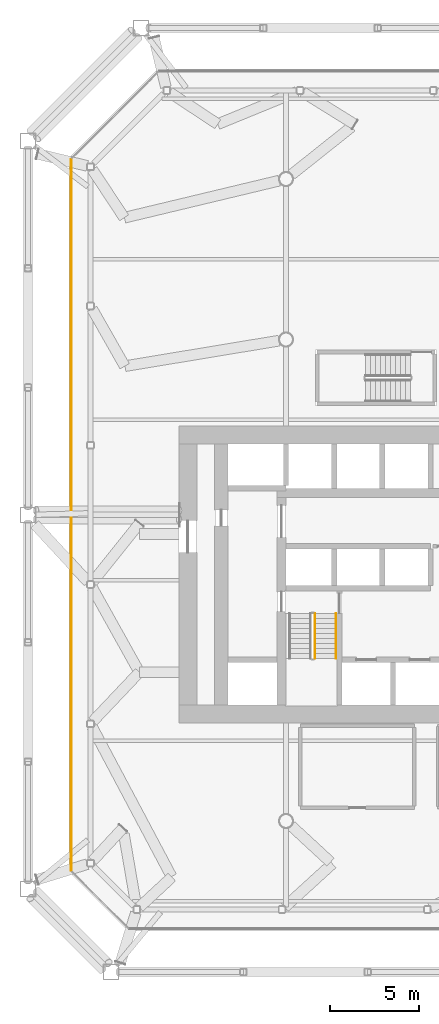
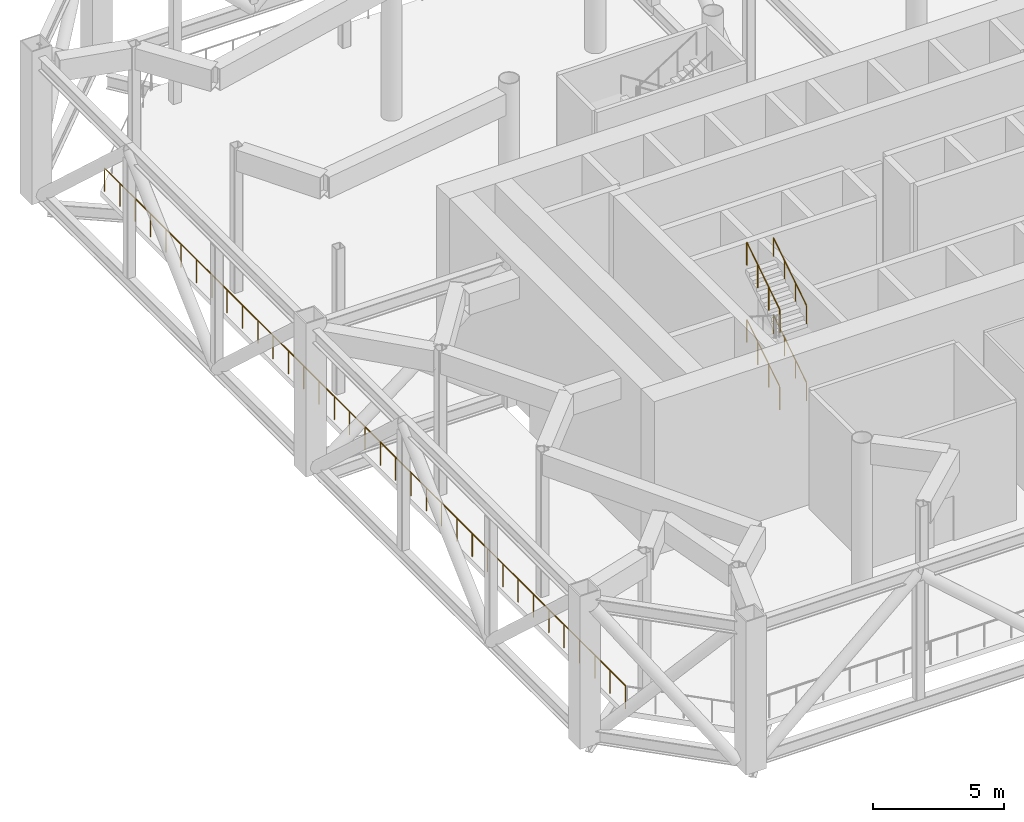
# One storey, part 16 of 20: 5 railings.
"""IFC4 building model written with IfcOpenShell, lengths in metres."""

from ifc_helpers import new_model, si_unit, direction, frame, origin, origin_2d, place, context, subcontext, project, spatial, circle, extrude, material, type_object, element, save


model = new_model("IFC4")

# Units and contexts
model_context = context("Model", 3, precision=1e-05, world=origin(), true_north=direction((0.0, 1.0)))
body_context = subcontext(model_context, "Body", "Model", "MODEL_VIEW")
ifc_project = project(units=[si_unit("LENGTHUNIT", "METRE"), si_unit("AREAUNIT", "SQUARE_METRE"), si_unit("VOLUMEUNIT", "CUBIC_METRE"), si_unit("PLANEANGLEUNIT", "RADIAN"), si_unit("MASSUNIT", "GRAM", prefix="KILO")], contexts=[model_context])

# Site, building, storey
site_placement = place(None, origin())
site = spatial("IfcSite", under=ifc_project, at=site_placement, CompositionType="ELEMENT")
building_placement = place(site_placement, origin())
building = spatial("IfcBuilding", under=site, at=building_placement, Name="Tskaro Facet Tower", CompositionType="ELEMENT")
storey_placement = place(building_placement, frame((0.0, 0.0, 114.300048828125)))
storey = spatial("IfcBuildingStorey", under=building, at=storey_placement, Name="L27", CompositionType="ELEMENT", Elevation=114.300048828125)

# Railings
ifc_material_1 = material(Name="Bronze anodised aluminium 6063-T6", Category="aluminium")
railing_type_1 = type_object("IfcRailingType", Name="Bronze guard rail (GD1)", PredefinedType="GUARDRAIL", material=ifc_material_1)
railing_1_placement = place(storey_placement, frame((-21.044921875, 19.092041015625, 0.0)))
element("IfcRailing", 1, at=railing_1_placement, inside=storey, type_object=railing_type_1, Name="Guard L27", PredefinedType="GUARDRAIL", context=body_context, shape_type="SweptSolid", body=[
    extrude(circle(Radius=0.02490234375, at=origin_2d()), frame((0.0, 0.0, 1.0751953125), z_axis=(0.0, -1.0, 0.0), x_axis=(1.0, 0.0, 0.0)), (0.0, 0.0, 1.0), 39.858154296875),
    extrude(circle(Radius=0.02001953125, at=origin_2d()), origin(), (0.0, 0.0, 1.0), 1.050048828125),
    extrude(circle(Radius=0.02001953125, at=origin_2d()), frame((0.0, -1.17236328125, 0.0)), (0.0, 0.0, 1.0), 1.050048828125),
    extrude(circle(Radius=0.02001953125, at=origin_2d()), frame((0.0, -2.344482421875, 0.0)), (0.0, 0.0, 1.0), 1.050048828125),
    extrude(circle(Radius=0.02001953125, at=origin_2d()), frame((0.0, -3.516845703125, 0.0)), (0.0, 0.0, 1.0), 1.050048828125),
    extrude(circle(Radius=0.02001953125, at=origin_2d()), frame((0.0, -4.689208984375, 0.0)), (0.0, 0.0, 1.0), 1.050048828125),
    extrude(circle(Radius=0.02001953125, at=origin_2d()), frame((0.0, -5.861572265625, 0.0)), (0.0, 0.0, 1.0), 1.050048828125),
    extrude(circle(Radius=0.02001953125, at=origin_2d()), frame((0.0, -7.03369140625, 0.0)), (0.0, 0.0, 1.0), 1.050048828125),
    extrude(circle(Radius=0.02001953125, at=origin_2d()), frame((0.0, -8.2060546875, 0.0)), (0.0, 0.0, 1.0), 1.050048828125),
    extrude(circle(Radius=0.02001953125, at=origin_2d()), frame((0.0, -9.37841796875, 0.0)), (0.0, 0.0, 1.0), 1.050048828125),
    extrude(circle(Radius=0.02001953125, at=origin_2d()), frame((0.0, -10.55078125, 0.0)), (0.0, 0.0, 1.0), 1.050048828125),
    extrude(circle(Radius=0.02001953125, at=origin_2d()), frame((0.0, -11.722900390625, 0.0)), (0.0, 0.0, 1.0), 1.050048828125),
    extrude(circle(Radius=0.02001953125, at=origin_2d()), frame((0.0, -12.895263671875, 0.0)), (0.0, 0.0, 1.0), 1.050048828125),
    extrude(circle(Radius=0.02001953125, at=origin_2d()), frame((0.0, -14.067626953125, 0.0)), (0.0, 0.0, 1.0), 1.050048828125),
    extrude(circle(Radius=0.02001953125, at=origin_2d()), frame((0.0, -15.239990234375, 0.0)), (0.0, 0.0, 1.0), 1.050048828125),
    extrude(circle(Radius=0.02001953125, at=origin_2d()), frame((0.0, -16.412109375, 0.0)), (0.0, 0.0, 1.0), 1.050048828125),
    extrude(circle(Radius=0.02001953125, at=origin_2d()), frame((0.0, -17.58447265625, 0.0)), (0.0, 0.0, 1.0), 1.050048828125),
    extrude(circle(Radius=0.02001953125, at=origin_2d()), frame((0.0, -18.7568359375, 0.0)), (0.0, 0.0, 1.0), 1.050048828125),
    extrude(circle(Radius=0.02001953125, at=origin_2d()), frame((0.0, -19.92919921875, 0.0)), (0.0, 0.0, 1.0), 1.050048828125),
    extrude(circle(Radius=0.02001953125, at=origin_2d()), frame((0.0, -21.101318359375, 0.0)), (0.0, 0.0, 1.0), 1.050048828125),
    extrude(circle(Radius=0.02001953125, at=origin_2d()), frame((0.0, -22.273681640625, 0.0)), (0.0, 0.0, 1.0), 1.050048828125),
    extrude(circle(Radius=0.02001953125, at=origin_2d()), frame((0.0, -23.446044921875, 0.0)), (0.0, 0.0, 1.0), 1.050048828125),
    extrude(circle(Radius=0.02001953125, at=origin_2d()), frame((0.0, -24.6181640625, 0.0)), (0.0, 0.0, 1.0), 1.050048828125),
    extrude(circle(Radius=0.02001953125, at=origin_2d()), frame((0.0, -25.79052734375, 0.0)), (0.0, 0.0, 1.0), 1.050048828125),
    extrude(circle(Radius=0.02001953125, at=origin_2d()), frame((0.0, -26.962890625, 0.0)), (0.0, 0.0, 1.0), 1.050048828125),
    extrude(circle(Radius=0.02001953125, at=origin_2d()), frame((0.0, -28.13525390625, 0.0)), (0.0, 0.0, 1.0), 1.050048828125),
    extrude(circle(Radius=0.02001953125, at=origin_2d()), frame((0.0, -29.307373046875, 0.0)), (0.0, 0.0, 1.0), 1.050048828125),
    extrude(circle(Radius=0.02001953125, at=origin_2d()), frame((0.0, -30.479736328125, 0.0)), (0.0, 0.0, 1.0), 1.050048828125),
    extrude(circle(Radius=0.02001953125, at=origin_2d()), frame((0.0, -31.652099609375, 0.0)), (0.0, 0.0, 1.0), 1.050048828125),
    extrude(circle(Radius=0.02001953125, at=origin_2d()), frame((0.0, -32.824462890625, 0.0)), (0.0, 0.0, 1.0), 1.050048828125),
    extrude(circle(Radius=0.02001953125, at=origin_2d()), frame((0.0, -33.99658203125, 0.0)), (0.0, 0.0, 1.0), 1.050048828125),
    extrude(circle(Radius=0.02001953125, at=origin_2d()), frame((0.0, -35.1689453125, 0.0)), (0.0, 0.0, 1.0), 1.050048828125),
    extrude(circle(Radius=0.02001953125, at=origin_2d()), frame((0.0, -36.34130859375, 0.0)), (0.0, 0.0, 1.0), 1.050048828125),
    extrude(circle(Radius=0.02001953125, at=origin_2d()), frame((0.0, -37.513671875, 0.0)), (0.0, 0.0, 1.0), 1.050048828125),
    extrude(circle(Radius=0.02001953125, at=origin_2d()), frame((0.0, -38.685791015625, 0.0)), (0.0, 0.0, 1.0), 1.050048828125),
    extrude(circle(Radius=0.02001953125, at=origin_2d()), frame((0.0, -39.858154296875, 0.0)), (0.0, 0.0, 1.0), 1.050048828125),
])
ifc_material_2 = material(Name="Stainless steel", Category="steel")
railing_type_2 = type_object("IfcRailingType", Name="RL-GUARD-1100", PredefinedType="GUARDRAIL", material=ifc_material_2)
railing_2_placement = place(storey_placement, frame((-7.375, -8.89501953125, 1.97998046875)))
element("IfcRailing", 2, at=railing_2_placement, inside=storey, type_object=railing_type_2, Name="L27 ST-1 stair guard 3", PredefinedType="GUARDRAIL", context=body_context, shape_type="SweptSolid", body=[
    extrude(circle(Radius=0.02392578125, at=origin_2d()), frame((0.0, 0.0, 1.076171875), z_axis=(0.0, 0.841199657755, 0.540724639528), x_axis=(-1.0, 0.0, 0.0)), (0.0, 0.0, 1.0), 2.995849609375),
    extrude(circle(Radius=0.02099609375, at=origin_2d()), origin(), (0.0, 0.0, 1.0), 1.052001953125),
    extrude(circle(Radius=0.02099609375, at=origin_2d()), frame((0.0, 0.840087890625, 0.5400390625)), (0.0, 0.0, 1.0), 1.052001953125),
    extrude(circle(Radius=0.02099609375, at=origin_2d()), frame((0.0, 1.679931640625, 1.079833984375)), (0.0, 0.0, 1.0), 1.052001953125),
    extrude(circle(Radius=0.02099609375, at=origin_2d()), frame((0.0, 2.52001953125, 1.619873046875)), (0.0, 0.0, 1.0), 1.052001953125),
])
railing_3_placement = place(storey_placement, frame((-7.375, -8.89501953125, 5.579833984375)))
element("IfcRailing", 3, at=railing_3_placement, inside=storey, type_object=railing_type_2, Name="L27 ST-1 stair guard 7", PredefinedType="GUARDRAIL", context=body_context, shape_type="SweptSolid", body=[
    extrude(circle(Radius=0.02392578125, at=origin_2d()), frame((0.0, 0.0, 1.076171875), z_axis=(0.0, 0.841162588446, 0.540782303519), x_axis=(-1.0, 0.0, 0.0)), (0.0, 0.0, 1.0), 2.995849609375),
    extrude(circle(Radius=0.02099609375, at=origin_2d()), origin(), (0.0, 0.0, 1.0), 1.052001953125),
    extrude(circle(Radius=0.02099609375, at=origin_2d()), frame((0.0, 0.840087890625, 0.5400390625)), (0.0, 0.0, 1.0), 1.052001953125),
    extrude(circle(Radius=0.02099609375, at=origin_2d()), frame((0.0, 1.679931640625, 1.080078125)), (0.0, 0.0, 1.0), 1.052001953125),
    extrude(circle(Radius=0.02099609375, at=origin_2d()), frame((0.0, 2.52001953125, 1.6201171875)), (0.0, 0.0, 1.0), 1.052001953125),
])
railing_type_3 = type_object("IfcRailingType", Name="RL-HANDRAIL-900", PredefinedType="HANDRAIL", material=ifc_material_2)
railing_4_placement = place(storey_placement, frame((-6.199951171875, -8.89501953125, 1.97998046875)))
element("IfcRailing", 4, at=railing_4_placement, inside=storey, type_object=railing_type_3, Name="L27 ST-1 stair handrail 2", PredefinedType="HANDRAIL", context=body_context, shape_type="SweptSolid", body=[
    extrude(circle(Radius=0.02392578125, at=origin_2d()), frame((0.0, 0.0, 0.8759765625), z_axis=(0.0, 0.841199657755, 0.540724639528), x_axis=(-1.0, 0.0, 0.0)), (0.0, 0.0, 1.0), 2.995849609375),
    extrude(circle(Radius=0.02099609375, at=origin_2d()), origin(), (0.0, 0.0, 1.0), 0.851806640625),
    extrude(circle(Radius=0.02099609375, at=origin_2d()), frame((0.0, 0.840087890625, 0.5400390625)), (0.0, 0.0, 1.0), 0.851806640625),
    extrude(circle(Radius=0.02099609375, at=origin_2d()), frame((0.0, 1.679931640625, 1.079833984375)), (0.0, 0.0, 1.0), 0.851806640625),
    extrude(circle(Radius=0.02099609375, at=origin_2d()), frame((0.0, 2.52001953125, 1.619873046875)), (0.0, 0.0, 1.0), 0.851806640625),
])
railing_5_placement = place(storey_placement, frame((-6.199951171875, -8.89501953125, 5.579833984375)))
element("IfcRailing", 5, at=railing_5_placement, inside=storey, type_object=railing_type_3, Name="L27 ST-1 stair handrail 4", PredefinedType="HANDRAIL", context=body_context, shape_type="SweptSolid", body=[
    extrude(circle(Radius=0.02392578125, at=origin_2d()), frame((0.0, 0.0, 0.8759765625), z_axis=(0.0, 0.841162588446, 0.540782303519), x_axis=(-1.0, 0.0, 0.0)), (0.0, 0.0, 1.0), 2.995849609375),
    extrude(circle(Radius=0.02099609375, at=origin_2d()), origin(), (0.0, 0.0, 1.0), 0.851806640625),
    extrude(circle(Radius=0.02099609375, at=origin_2d()), frame((0.0, 0.840087890625, 0.5400390625)), (0.0, 0.0, 1.0), 0.851806640625),
    extrude(circle(Radius=0.02099609375, at=origin_2d()), frame((0.0, 1.679931640625, 1.080078125)), (0.0, 0.0, 1.0), 0.851806640625),
    extrude(circle(Radius=0.02099609375, at=origin_2d()), frame((0.0, 2.52001953125, 1.6201171875)), (0.0, 0.0, 1.0), 0.851806640625),
])

save(model, "model.ifc")
